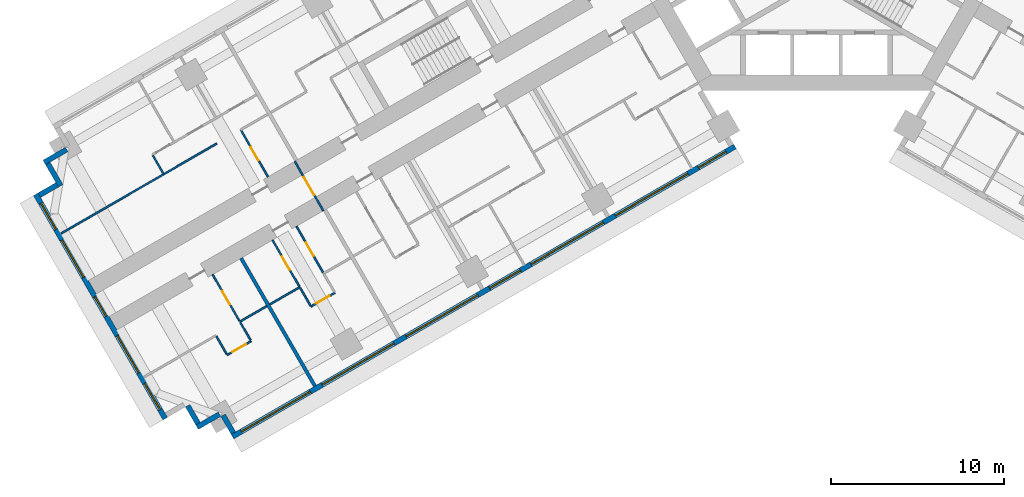
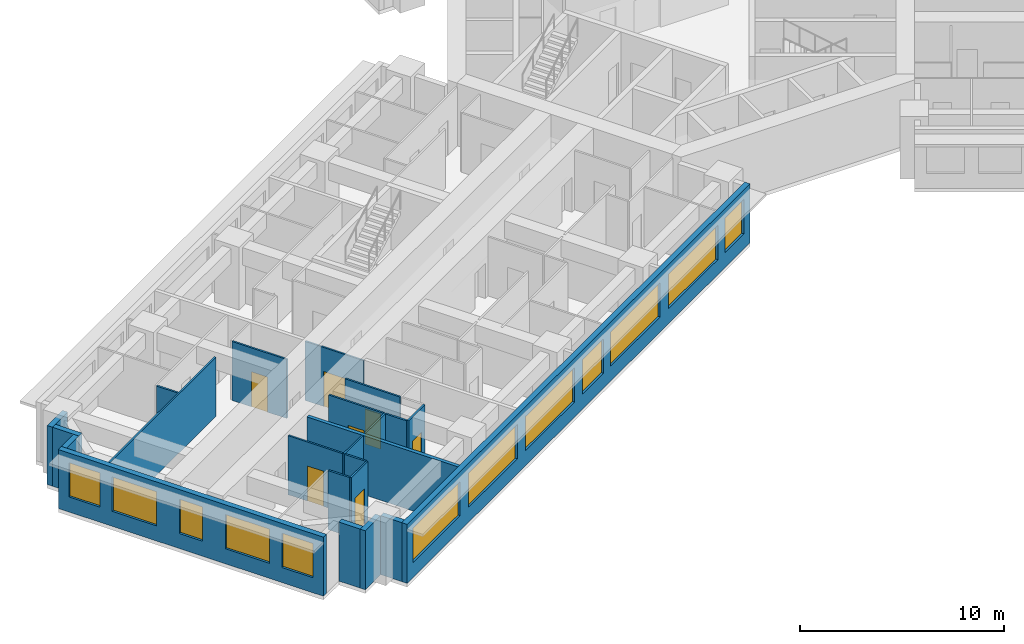
# One storey, part 3 of 16: 23 walls, 12 windows, 7 doors, 19 openings.
"""IFC4 building model written with IfcOpenShell, lengths in metres."""

from ifc_helpers import new_model, si_unit, direction, frame, frame_2d, origin, place, context, subcontext, project, spatial, rectangle, extrude, material, layer, layer_set, type_object, element, fill, save


model = new_model("IFC4")

# Units and contexts
model_context = context("Model", 3, precision=1e-05, world=origin(), true_north=direction((0.0, 1.0)))
body_context = subcontext(model_context, "Body", "Model", "MODEL_VIEW")
ifc_project = project(units=[si_unit("LENGTHUNIT", "METRE"), si_unit("AREAUNIT", "SQUARE_METRE"), si_unit("VOLUMEUNIT", "CUBIC_METRE"), si_unit("PLANEANGLEUNIT", "RADIAN"), si_unit("MASSUNIT", "GRAM", prefix="KILO")], contexts=[model_context])

# Site, building, storey
site_placement = place(None, origin())
site = spatial("IfcSite", under=ifc_project, at=site_placement, CompositionType="ELEMENT")
building_placement = place(site_placement, origin())
building = spatial("IfcBuilding", under=site, at=building_placement, Name="Impinga Residences", CompositionType="ELEMENT")
storey_placement = place(building_placement, frame((0.0, 0.0, 78.5)))
storey = spatial("IfcBuildingStorey", under=building, at=storey_placement, Name="L19", CompositionType="ELEMENT", Elevation=78.5)

# Wall, opening, door
ifc_material_1 = material(Name="Concrete blockwork", Category="masonry")
ifc_layer_1 = layer(ifc_material_1, 0.10009765625)
ifc_layer_set_1 = layer_set([ifc_layer_1], Name="CP1 core room partition, blockwork 100")
wall_type_1 = type_object("IfcWallType", Name="CP1 core room partition, blockwork 100", PredefinedType="PARTITIONING", material=ifc_layer_set_1)
wall_1_placement = place(storey_placement, frame((-28.566162109375, -18.39794921875, 0.0), z_axis=(0.0, 0.0, 1.0), x_axis=(-0.499974350878, 0.866040211805, 0.0)))
wall_1 = element("IfcWall", 1, at=wall_1_placement, inside=storey, type_object=wall_type_1, Name="Core room partition, blockwork L19:W:SCR", PredefinedType="PARTITIONING", context=body_context, shape_type="SweptSolid", body=[
    extrude(rectangle(XDim=3.300048828125, YDim=0.10009765625, at=frame_2d((1.64990234375, 0.0))), origin(), (0.0, 0.0, 1.0), 3.530029296875),
])
opening_1_placement = place(wall_1_placement, frame((1.050048828125, 0.0, 0.0)))
opening_1 = element("IfcOpeningElement", 2, at=opening_1_placement, cuts=wall_1, Name="Opening D3", PredefinedType="OPENING", context=body_context, shape_type="SweptSolid", body=[
    extrude(rectangle(XDim=1.199951171875, YDim=2.10009765625, at=frame_2d((0.60009765625, 1.050048828125))), frame((0.0, 0.06005859375, 0.0), z_axis=(0.0, -1.0, 0.0), x_axis=(1.0, 0.0, 0.0)), (0.0, 0.0, 1.0), 0.1201171875),
])
ifc_material_2 = material(Name="Timber door set", Category="wood")
door_type_1 = type_object("IfcDoorType", Name="D3 room door, leaf and a half 1200x2100", OperationType="DOUBLE_SWING_LEFT", PredefinedType="DOOR", material=ifc_material_2)
door_1_placement = place(opening_1_placement, origin())
door_1 = element("IfcDoor", 3, at=door_1_placement, inside=storey, type_object=door_type_1, Name="Corridor smoke door W", OperationType="DOUBLE_SWING_LEFT", OverallHeight=2.10009765625, OverallWidth=1.199951171875, PredefinedType="DOOR", context=body_context, shape_type="SweptSolid", body=[
    extrude(rectangle(XDim=1.199951171875, YDim=2.10009765625, at=frame_2d((0.60009765625, 1.050048828125))), frame((0.0, 0.02490234375, 0.0), z_axis=(0.0, -1.0, 0.0), x_axis=(1.0, 0.0, 0.0)), (0.0, 0.0, 1.0), 0.050048828125),
])
fill(opening_1, door_1)

# Walls
ifc_material_3 = material(Name="Terracotta rainscreen on blockwork", Category="masonry")
ifc_layer_2 = layer(ifc_material_3, 0.300048828125)
ifc_layer_set_2 = layer_set([ifc_layer_2], Name="EW1 external wall, terracotta rainscreen on blockwork 300")
wall_type_2 = type_object("IfcWallType", Name="EW1 external wall, terracotta rainscreen on blockwork 300", PredefinedType="SOLIDWALL", material=ifc_layer_set_2)
wall_2_placement = place(storey_placement, frame((-33.7685546875, -31.274169921875, 0.0), z_axis=(0.0, 0.0, 1.0), x_axis=(-0.499940577336, 0.866059708757, 0.0)))
element("IfcWall", 4, at=wall_2_placement, inside=storey, type_object=wall_type_2, Name="External wall EW1 L19", PredefinedType="SOLIDWALL", context=body_context, shape_type="SweptSolid", body=[
    extrude(rectangle(XDim=1.195068359375, YDim=0.300048828125, at=frame_2d((0.59765625, 0.0))), origin(), (0.0, 0.0, 1.0), 3.530029296875),
])
wall_3_placement = place(storey_placement, frame((-34.573486328125, -30.18017578125, 0.0), z_axis=(0.0, 0.0, 1.0), x_axis=(-0.866031096941, -0.499990139034, 0.0)))
element("IfcWall", 5, at=wall_3_placement, inside=storey, type_object=wall_type_2, Name="External wall EW1 L19", PredefinedType="SOLIDWALL", context=body_context, shape_type="SweptSolid", body=[
    extrude(rectangle(XDim=1.5, YDim=0.300048828125, at=frame_2d((0.75, 0.0))), origin(), (0.0, 0.0, 1.0), 3.530029296875),
])
wall_4_placement = place(storey_placement, frame((-35.817626953125, -30.72509765625, 0.0), z_axis=(0.0, 0.0, 1.0), x_axis=(-0.499969057507, 0.866043267704, 0.0)))
element("IfcWall", 6, at=wall_4_placement, inside=storey, type_object=wall_type_2, Name="External wall EW1 L19", PredefinedType="SOLIDWALL", context=body_context, shape_type="SweptSolid", body=[
    extrude(rectangle(XDim=1.19970703125, YDim=0.300048828125, at=frame_2d((0.599853515625, 0.0))), origin(), (0.0, 0.0, 1.0), 3.530029296875),
])

# Wall, openings, windows
wall_5_placement = place(storey_placement, frame((-37.716552734375, -30.43603515625, 0.0), z_axis=(0.0, 0.0, 1.0), x_axis=(-0.499997186618, 0.866027028085, 0.0)))
wall_5 = element("IfcWall", 7, at=wall_5_placement, inside=storey, type_object=wall_type_2, Name="External wall EW1 L19", PredefinedType="SOLIDWALL", context=body_context, shape_type="SweptSolid", body=[
    extrude(rectangle(XDim=15.0, YDim=0.300048828125, at=frame_2d((7.5, 0.0))), origin(), (0.0, 0.0, 1.0), 3.530029296875),
])
opening_2_placement = place(wall_5_placement, frame((0.60009765625, 0.0, 0.89990234375)))
opening_2 = element("IfcOpeningElement", 8, at=opening_2_placement, cuts=wall_5, Name="Opening W1", PredefinedType="OPENING", context=body_context, shape_type="SweptSolid", body=[
    extrude(rectangle(XDim=1.75, YDim=2.050048828125, at=frame_2d((0.875, 1.02490234375))), frame((0.0, 0.159912109375, 0.0), z_axis=(0.0, -1.0, 0.0), x_axis=(1.0, 0.0, 0.0)), (0.0, 0.0, 1.0), 0.320068359375),
])
opening_3_placement = place(wall_5_placement, frame((3.050048828125, 0.0, 0.89990234375)))
opening_3 = element("IfcOpeningElement", 9, at=opening_3_placement, cuts=wall_5, Name="Opening W2", PredefinedType="OPENING", context=body_context, shape_type="SweptSolid", body=[
    extrude(rectangle(XDim=2.5, YDim=2.050048828125, at=frame_2d((1.25, 1.02490234375))), frame((0.0, 0.159912109375, 0.0), z_axis=(0.0, -1.0, 0.0), x_axis=(1.0, 0.0, 0.0)), (0.0, 0.0, 1.0), 0.320068359375),
])
opening_4_placement = place(wall_5_placement, frame((6.85009765625, 0.0, 0.89990234375)))
opening_4 = element("IfcOpeningElement", 10, at=opening_4_placement, cuts=wall_5, Name="Opening WE1", PredefinedType="OPENING", context=body_context, shape_type="SweptSolid", body=[
    extrude(rectangle(XDim=1.300048828125, YDim=2.050048828125, at=frame_2d((0.64990234375, 1.02490234375))), frame((0.0, 0.159912109375, 0.0), z_axis=(0.0, -1.0, 0.0), x_axis=(1.0, 0.0, 0.0)), (0.0, 0.0, 1.0), 0.320068359375),
])
opening_5_placement = place(wall_5_placement, frame((9.449951171875, 0.0, 0.89990234375)))
opening_5 = element("IfcOpeningElement", 11, at=opening_5_placement, cuts=wall_5, Name="Opening W2", PredefinedType="OPENING", context=body_context, shape_type="SweptSolid", body=[
    extrude(rectangle(XDim=2.5, YDim=2.050048828125, at=frame_2d((1.25, 1.02490234375))), frame((0.0, 0.159912109375, 0.0), z_axis=(0.0, -1.0, 0.0), x_axis=(1.0, 0.0, 0.0)), (0.0, 0.0, 1.0), 0.320068359375),
])
opening_6_placement = place(wall_5_placement, frame((12.64990234375, 0.0, 0.89990234375)))
opening_6 = element("IfcOpeningElement", 12, at=opening_6_placement, cuts=wall_5, Name="Opening W1", PredefinedType="OPENING", context=body_context, shape_type="SweptSolid", body=[
    extrude(rectangle(XDim=1.75, YDim=2.050048828125, at=frame_2d((0.875, 1.02490234375))), frame((0.0, 0.159912109375, 0.0), z_axis=(0.0, -1.0, 0.0), x_axis=(1.0, 0.0, 0.0)), (0.0, 0.0, 1.0), 0.320068359375),
])
ifc_material_4 = material(Name="Aluminium window, clear double glazing", Category="aluminium")
window_type_1 = type_object("IfcWindowType", Name="W1 ribbon window 1750x2050", PartitioningType="SINGLE_PANEL", PredefinedType="WINDOW", material=ifc_material_4)
window_1_placement = place(opening_2_placement, origin())
window_1 = element("IfcWindow", 13, at=window_1_placement, inside=storey, type_object=window_type_1, Name="Window L19", OverallHeight=2.050048828125, OverallWidth=1.75, PartitioningType="SINGLE_PANEL", PredefinedType="WINDOW", context=body_context, shape_type="SweptSolid", body=[
    extrude(rectangle(XDim=1.75, YDim=2.050048828125, at=frame_2d((0.875, 1.02490234375))), frame((0.0, 0.030029296875, 0.0), z_axis=(0.0, -1.0, 0.0), x_axis=(1.0, 0.0, 0.0)), (0.0, 0.0, 1.0), 0.06005859375),
])
fill(opening_2, window_1)
window_2_placement = place(opening_6_placement, origin())
window_2 = element("IfcWindow", 14, at=window_2_placement, inside=storey, type_object=window_type_1, Name="Window L19", OverallHeight=2.050048828125, OverallWidth=1.75, PartitioningType="SINGLE_PANEL", PredefinedType="WINDOW", context=body_context, shape_type="SweptSolid", body=[
    extrude(rectangle(XDim=1.75, YDim=2.050048828125, at=frame_2d((0.875, 1.02490234375))), frame((0.0, 0.030029296875, 0.0), z_axis=(0.0, -1.0, 0.0), x_axis=(1.0, 0.0, 0.0)), (0.0, 0.0, 1.0), 0.06005859375),
])
fill(opening_6, window_2)
window_type_2 = type_object("IfcWindowType", Name="W2 ribbon window 2500x2050", PartitioningType="SINGLE_PANEL", PredefinedType="WINDOW", material=ifc_material_4)
window_3_placement = place(opening_3_placement, origin())
window_3 = element("IfcWindow", 15, at=window_3_placement, inside=storey, type_object=window_type_2, Name="Window L19", OverallHeight=2.050048828125, OverallWidth=2.5, PartitioningType="SINGLE_PANEL", PredefinedType="WINDOW", context=body_context, shape_type="SweptSolid", body=[
    extrude(rectangle(XDim=2.5, YDim=2.050048828125, at=frame_2d((1.25, 1.02490234375))), frame((0.0, 0.030029296875, 0.0), z_axis=(0.0, -1.0, 0.0), x_axis=(1.0, 0.0, 0.0)), (0.0, 0.0, 1.0), 0.06005859375),
])
fill(opening_3, window_3)
window_4_placement = place(opening_5_placement, origin())
window_4 = element("IfcWindow", 16, at=window_4_placement, inside=storey, type_object=window_type_2, Name="Window L19", OverallHeight=2.050048828125, OverallWidth=2.5, PartitioningType="SINGLE_PANEL", PredefinedType="WINDOW", context=body_context, shape_type="SweptSolid", body=[
    extrude(rectangle(XDim=2.5, YDim=2.050048828125, at=frame_2d((1.25, 1.02490234375))), frame((0.0, 0.030029296875, 0.0), z_axis=(0.0, -1.0, 0.0), x_axis=(1.0, 0.0, 0.0)), (0.0, 0.0, 1.0), 0.06005859375),
])
fill(opening_5, window_4)
window_type_3 = type_object("IfcWindowType", Name="WE1 corridor window 1300x2050", PartitioningType="SINGLE_PANEL", PredefinedType="WINDOW", material=ifc_material_4)
window_5_placement = place(opening_4_placement, origin())
window_5 = element("IfcWindow", 17, at=window_5_placement, inside=storey, type_object=window_type_3, Name="Window L19", OverallHeight=2.050048828125, OverallWidth=1.300048828125, PartitioningType="SINGLE_PANEL", PredefinedType="WINDOW", context=body_context, shape_type="SweptSolid", body=[
    extrude(rectangle(XDim=1.300048828125, YDim=2.050048828125, at=frame_2d((0.64990234375, 1.02490234375))), frame((0.0, 0.030029296875, 0.0), z_axis=(0.0, -1.0, 0.0), x_axis=(1.0, 0.0, 0.0)), (0.0, 0.0, 1.0), 0.06005859375),
])
fill(opening_4, window_5)

# Walls
wall_6_placement = place(storey_placement, frame((-45.01171875, -17.50048828125, 0.0), z_axis=(0.0, 0.0, 1.0), x_axis=(0.866059708757, 0.499940577336, 0.0)))
element("IfcWall", 18, at=wall_6_placement, inside=storey, type_object=wall_type_2, Name="External wall EW1 L19", PredefinedType="SOLIDWALL", context=body_context, shape_type="SweptSolid", body=[
    extrude(rectangle(XDim=1.195068359375, YDim=0.300048828125, at=frame_2d((0.59765625, 0.0))), origin(), (0.0, 0.0, 1.0), 3.530029296875),
])
for number, where, z_axis, x_axis, name in (
    (19, (-43.767578125, -16.955322265625, 0.0), (0.0, 0.0, 1.0), (-0.499990139034, 0.866031096941, 0.0), "External wall EW1 L19"),
    (20, (-44.722412109375, -15.6015625, 0.0), (0.0, 0.0, 1.0), (0.866031096941, 0.499990139034, 0.0), "External wall EW1 L19"),
):
    element("IfcWall", number, at=place(storey_placement, frame(where, z_axis=z_axis, x_axis=x_axis)), inside=storey, type_object=wall_type_2, Name=name, PredefinedType="SOLIDWALL", context=body_context, shape_type="SweptSolid", body=[
        extrude(rectangle(XDim=1.5, YDim=0.300048828125, at=frame_2d((0.75, 0.0))), origin(), (0.0, 0.0, 1.0), 3.530029296875),
    ])

# Wall, openings, windows
wall_7_placement = place(storey_placement, frame((-4.72509765625, -14.67919921875, 0.0), z_axis=(0.0, 0.0, 1.0), x_axis=(-0.866024291668, -0.500001926238, 0.0)))
wall_7 = element("IfcWall", 21, at=wall_7_placement, inside=storey, type_object=wall_type_2, Name="External wall EW1 L19", PredefinedType="SOLIDWALL", context=body_context, shape_type="SweptSolid", body=[
    extrude(rectangle(XDim=33.599853515625, YDim=0.300048828125, at=frame_2d((16.7998046875, 0.0))), origin(), (0.0, 0.0, 1.0), 3.530029296875),
])
opening_7_placement = place(wall_7_placement, frame((0.60009765625, 0.0, 0.89990234375)))
opening_7 = element("IfcOpeningElement", 22, at=opening_7_placement, cuts=wall_7, Name="Opening W15", PredefinedType="OPENING", context=body_context, shape_type="SweptSolid", body=[
    extrude(rectangle(XDim=1.85009765625, YDim=2.050048828125, at=frame_2d((0.925048828125, 1.02490234375))), frame((0.0, 0.159912109375, 0.0), z_axis=(0.0, -1.0, 0.0), x_axis=(1.0, 0.0, 0.0)), (0.0, 0.0, 1.0), 0.320068359375),
])
opening_8_placement = place(wall_7_placement, frame((3.14990234375, 0.0, 0.89990234375)))
opening_8 = element("IfcOpeningElement", 23, at=opening_8_placement, cuts=wall_7, Name="Opening W6", PredefinedType="OPENING", context=body_context, shape_type="SweptSolid", body=[
    extrude(rectangle(XDim=4.85009765625, YDim=2.050048828125, at=frame_2d((2.425048828125, 1.02490234375))), frame((0.0, 0.159912109375, 0.0), z_axis=(0.0, -1.0, 0.0), x_axis=(1.0, 0.0, 0.0)), (0.0, 0.0, 1.0), 0.320068359375),
])
opening_9_placement = place(wall_7_placement, frame((8.800048828125, 0.0, 0.89990234375)))
opening_9 = element("IfcOpeningElement", 24, at=opening_9_placement, cuts=wall_7, Name="Opening W6", PredefinedType="OPENING", context=body_context, shape_type="SweptSolid", body=[
    extrude(rectangle(XDim=4.85009765625, YDim=2.050048828125, at=frame_2d((2.425048828125, 1.02490234375))), frame((0.0, 0.159912109375, 0.0), z_axis=(0.0, -1.0, 0.0), x_axis=(1.0, 0.0, 0.0)), (0.0, 0.0, 1.0), 0.320068359375),
])
opening_10_placement = place(wall_7_placement, frame((14.35009765625, 0.0, 0.89990234375)))
opening_10 = element("IfcOpeningElement", 25, at=opening_10_placement, cuts=wall_7, Name="Opening W14", PredefinedType="OPENING", context=body_context, shape_type="SweptSolid", body=[
    extrude(rectangle(XDim=2.050048828125, YDim=2.050048828125, at=frame_2d((1.02490234375, 1.02490234375))), frame((0.0, 0.159912109375, 0.0), z_axis=(0.0, -1.0, 0.0), x_axis=(1.0, 0.0, 0.0)), (0.0, 0.0, 1.0), 0.320068359375),
])
opening_11_placement = place(wall_7_placement, frame((17.199951171875, 0.0, 0.89990234375)))
opening_11 = element("IfcOpeningElement", 26, at=opening_11_placement, cuts=wall_7, Name="Opening W8", PredefinedType="OPENING", context=body_context, shape_type="SweptSolid", body=[
    extrude(rectangle(XDim=4.800048828125, YDim=2.050048828125, at=frame_2d((2.39990234375, 1.02490234375))), frame((0.0, 0.159912109375, 0.0), z_axis=(0.0, -1.0, 0.0), x_axis=(1.0, 0.0, 0.0)), (0.0, 0.0, 1.0), 0.320068359375),
])
opening_12_placement = place(wall_7_placement, frame((22.800048828125, 0.0, 0.89990234375)))
opening_12 = element("IfcOpeningElement", 27, at=opening_12_placement, cuts=wall_7, Name="Opening W8", PredefinedType="OPENING", context=body_context, shape_type="SweptSolid", body=[
    extrude(rectangle(XDim=4.800048828125, YDim=2.050048828125, at=frame_2d((2.39990234375, 1.02490234375))), frame((0.0, 0.159912109375, 0.0), z_axis=(0.0, -1.0, 0.0), x_axis=(1.0, 0.0, 0.0)), (0.0, 0.0, 1.0), 0.320068359375),
])
opening_13_placement = place(wall_7_placement, frame((28.39990234375, 0.0, 0.89990234375)))
opening_13 = element("IfcOpeningElement", 28, at=opening_13_placement, cuts=wall_7, Name="Opening W3", PredefinedType="OPENING", context=body_context, shape_type="SweptSolid", body=[
    extrude(rectangle(XDim=4.60009765625, YDim=2.050048828125, at=frame_2d((2.300048828125, 1.02490234375))), frame((0.0, 0.159912109375, 0.0), z_axis=(0.0, -1.0, 0.0), x_axis=(1.0, 0.0, 0.0)), (0.0, 0.0, 1.0), 0.320068359375),
])
window_type_4 = type_object("IfcWindowType", Name="W14 ribbon window 2050x2050", PartitioningType="SINGLE_PANEL", PredefinedType="WINDOW", material=ifc_material_4)
window_6_placement = place(opening_10_placement, origin())
window_6 = element("IfcWindow", 29, at=window_6_placement, inside=storey, type_object=window_type_4, Name="Window L19", OverallHeight=2.050048828125, OverallWidth=2.050048828125, PartitioningType="SINGLE_PANEL", PredefinedType="WINDOW", context=body_context, shape_type="SweptSolid", body=[
    extrude(rectangle(XDim=2.050048828125, YDim=2.050048828125, at=frame_2d((1.02490234375, 1.02490234375))), frame((0.0, 0.030029296875, 0.0), z_axis=(0.0, -1.0, 0.0), x_axis=(1.0, 0.0, 0.0)), (0.0, 0.0, 1.0), 0.06005859375),
])
fill(opening_10, window_6)
window_type_5 = type_object("IfcWindowType", Name="W15 ribbon window 1850x2050", PartitioningType="SINGLE_PANEL", PredefinedType="WINDOW", material=ifc_material_4)
window_7_placement = place(opening_7_placement, origin())
window_7 = element("IfcWindow", 30, at=window_7_placement, inside=storey, type_object=window_type_5, Name="Window L19", OverallHeight=2.050048828125, OverallWidth=1.85009765625, PartitioningType="SINGLE_PANEL", PredefinedType="WINDOW", context=body_context, shape_type="SweptSolid", body=[
    extrude(rectangle(XDim=1.85009765625, YDim=2.050048828125, at=frame_2d((0.925048828125, 1.02490234375))), frame((0.0, 0.030029296875, 0.0), z_axis=(0.0, -1.0, 0.0), x_axis=(1.0, 0.0, 0.0)), (0.0, 0.0, 1.0), 0.06005859375),
])
fill(opening_7, window_7)
window_type_6 = type_object("IfcWindowType", Name="W3 ribbon window 4600x2050", PartitioningType="SINGLE_PANEL", PredefinedType="WINDOW", material=ifc_material_4)
window_8_placement = place(opening_13_placement, origin())
window_8 = element("IfcWindow", 31, at=window_8_placement, inside=storey, type_object=window_type_6, Name="Window L19", OverallHeight=2.050048828125, OverallWidth=4.60009765625, PartitioningType="SINGLE_PANEL", PredefinedType="WINDOW", context=body_context, shape_type="SweptSolid", body=[
    extrude(rectangle(XDim=4.60009765625, YDim=2.050048828125, at=frame_2d((2.300048828125, 1.02490234375))), frame((0.0, 0.030029296875, 0.0), z_axis=(0.0, -1.0, 0.0), x_axis=(1.0, 0.0, 0.0)), (0.0, 0.0, 1.0), 0.06005859375),
])
fill(opening_13, window_8)
window_type_7 = type_object("IfcWindowType", Name="W6 ribbon window 4850x2050", PartitioningType="SINGLE_PANEL", PredefinedType="WINDOW", material=ifc_material_4)
window_9_placement = place(opening_8_placement, origin())
window_9 = element("IfcWindow", 32, at=window_9_placement, inside=storey, type_object=window_type_7, Name="Window L19", OverallHeight=2.050048828125, OverallWidth=4.85009765625, PartitioningType="SINGLE_PANEL", PredefinedType="WINDOW", context=body_context, shape_type="SweptSolid", body=[
    extrude(rectangle(XDim=4.85009765625, YDim=2.050048828125, at=frame_2d((2.425048828125, 1.02490234375))), frame((0.0, 0.030029296875, 0.0), z_axis=(0.0, -1.0, 0.0), x_axis=(1.0, 0.0, 0.0)), (0.0, 0.0, 1.0), 0.06005859375),
])
fill(opening_8, window_9)
window_10_placement = place(opening_9_placement, origin())
window_10 = element("IfcWindow", 33, at=window_10_placement, inside=storey, type_object=window_type_7, Name="Window L19", OverallHeight=2.050048828125, OverallWidth=4.85009765625, PartitioningType="SINGLE_PANEL", PredefinedType="WINDOW", context=body_context, shape_type="SweptSolid", body=[
    extrude(rectangle(XDim=4.85009765625, YDim=2.050048828125, at=frame_2d((2.425048828125, 1.02490234375))), frame((0.0, 0.030029296875, 0.0), z_axis=(0.0, -1.0, 0.0), x_axis=(1.0, 0.0, 0.0)), (0.0, 0.0, 1.0), 0.06005859375),
])
fill(opening_9, window_10)
window_type_8 = type_object("IfcWindowType", Name="W8 ribbon window 4800x2050", PartitioningType="SINGLE_PANEL", PredefinedType="WINDOW", material=ifc_material_4)
window_11_placement = place(opening_11_placement, origin())
window_11 = element("IfcWindow", 34, at=window_11_placement, inside=storey, type_object=window_type_8, Name="Window L19", OverallHeight=2.050048828125, OverallWidth=4.800048828125, PartitioningType="SINGLE_PANEL", PredefinedType="WINDOW", context=body_context, shape_type="SweptSolid", body=[
    extrude(rectangle(XDim=4.800048828125, YDim=2.050048828125, at=frame_2d((2.39990234375, 1.02490234375))), frame((0.0, 0.030029296875, 0.0), z_axis=(0.0, -1.0, 0.0), x_axis=(1.0, 0.0, 0.0)), (0.0, 0.0, 1.0), 0.06005859375),
])
fill(opening_11, window_11)
window_12_placement = place(opening_12_placement, origin())
window_12 = element("IfcWindow", 35, at=window_12_placement, inside=storey, type_object=window_type_8, Name="Window L19", OverallHeight=2.050048828125, OverallWidth=4.800048828125, PartitioningType="SINGLE_PANEL", PredefinedType="WINDOW", context=body_context, shape_type="SweptSolid", body=[
    extrude(rectangle(XDim=4.800048828125, YDim=2.050048828125, at=frame_2d((2.39990234375, 1.02490234375))), frame((0.0, 0.030029296875, 0.0), z_axis=(0.0, -1.0, 0.0), x_axis=(1.0, 0.0, 0.0)), (0.0, 0.0, 1.0), 0.06005859375),
])
fill(opening_12, window_12)

# Wall
ifc_material_5 = material(Name="Gypsum board on steel studs", Category="steel")
ifc_layer_3 = layer(ifc_material_5, 0.10009765625)
ifc_layer_set_3 = layer_set([ifc_layer_3], Name="Gypsum board on steel studs")
wall_type_3 = type_object("IfcWallType", Name="IP1 partition 100", PredefinedType="PARTITIONING", material=ifc_layer_set_3)
wall_8_placement = place(storey_placement, frame((-29.93017578125, -22.82275390625, 0.0), z_axis=(0.0, 0.0, 1.0), x_axis=(-0.866010750942, -0.50002537861, 0.0)))
element("IfcWall", 36, at=wall_8_placement, inside=storey, type_object=wall_type_3, Name="Partition L19-WA4:DIV1", PredefinedType="PARTITIONING", context=body_context, shape_type="SweptSolid", body=[
    extrude(rectangle(XDim=2.0, YDim=0.10009765625, at=frame_2d((1.0, 0.0))), origin(), (0.0, 0.0, 1.0), 3.530029296875),
])

# Wall, opening, door
wall_9_placement = place(storey_placement, frame((-27.89453125, -23.1484375, 0.0), z_axis=(0.0, 0.0, 1.0), x_axis=(-0.865989903783, -0.500061482766, 0.0)))
wall_9 = element("IfcWall", 37, at=wall_9_placement, inside=storey, type_object=wall_type_3, Name="Partition L19-WA4:STRIP", PredefinedType="PARTITIONING", context=body_context, shape_type="SweptSolid", body=[
    extrude(rectangle(XDim=1.599853515625, YDim=0.10009765625, at=frame_2d((0.7998046875, 0.0))), origin(), (0.0, 0.0, 1.0), 3.530029296875),
])
opening_14_placement = place(wall_9_placement, frame((0.35009765625, 0.0, 0.0)))
opening_14 = element("IfcOpeningElement", 38, at=opening_14_placement, cuts=wall_9, Name="Opening D2", PredefinedType="OPENING", context=body_context, shape_type="SweptSolid", body=[
    extrude(rectangle(XDim=0.89990234375, YDim=2.10009765625, at=frame_2d((0.449951171875, 1.050048828125))), frame((0.0, 0.06005859375, 0.0), z_axis=(0.0, -1.0, 0.0), x_axis=(1.0, 0.0, 0.0)), (0.0, 0.0, 1.0), 0.1201171875),
])
door_type_2 = type_object("IfcDoorType", Name="D2 internal door 900x2100", OperationType="SINGLE_SWING_LEFT", PredefinedType="DOOR", material=ifc_material_2)
door_2_placement = place(opening_14_placement, origin())
door_2 = element("IfcDoor", 39, at=door_2_placement, inside=storey, type_object=door_type_2, Name="Apartment L19-WA4 room door", OperationType="SINGLE_SWING_LEFT", OverallHeight=2.10009765625, OverallWidth=0.89990234375, PredefinedType="DOOR", context=body_context, shape_type="SweptSolid", body=[
    extrude(rectangle(XDim=0.89990234375, YDim=2.10009765625, at=frame_2d((0.449951171875, 1.050048828125))), frame((0.0, 0.02490234375, 0.0), z_axis=(0.0, -1.0, 0.0), x_axis=(1.0, 0.0, 0.0)), (0.0, 0.0, 1.0), 0.050048828125),
])
fill(opening_14, door_2)

# Wall
wall_10_placement = place(storey_placement, frame((-29.905029296875, -22.865966796875, 0.0), z_axis=(0.0, 0.0, 1.0), x_axis=(0.499880961361, -0.866094119867, 0.0)))
element("IfcWall", 40, at=wall_10_placement, inside=storey, type_object=wall_type_3, Name="Partition L19-WA4:SE1", PredefinedType="PARTITIONING", context=body_context, shape_type="SweptSolid", body=[
    extrude(rectangle(XDim=1.199951171875, YDim=0.10009765625, at=frame_2d((0.60009765625, 0.0))), origin(), (0.0, 0.0, 1.0), 3.530029296875),
])

# Wall, opening, door
wall_11_placement = place(storey_placement, frame((-30.119384765625, -19.294677734375, 0.0), z_axis=(0.0, 0.0, 1.0), x_axis=(0.49999285859, -0.86602952684, 0.0)))
wall_11 = element("IfcWall", 41, at=wall_11_placement, inside=storey, type_object=wall_type_3, Name="Partition L19-WA4:IB1", PredefinedType="PARTITIONING", context=body_context, shape_type="SweptSolid", body=[
    extrude(rectangle(XDim=3.10009765625, YDim=0.10009765625, at=frame_2d((1.550048828125, 0.0))), origin(), (0.0, 0.0, 1.0), 3.530029296875),
])
opening_15_placement = place(wall_11_placement, frame((1.10009765625, 0.0, 0.0)))
opening_15 = element("IfcOpeningElement", 42, at=opening_15_placement, cuts=wall_11, Name="Opening D2", PredefinedType="OPENING", context=body_context, shape_type="SweptSolid", body=[
    extrude(rectangle(XDim=0.89990234375, YDim=2.10009765625, at=frame_2d((0.449951171875, 1.050048828125))), frame((0.0, 0.06005859375, 0.0), z_axis=(0.0, -1.0, 0.0), x_axis=(1.0, 0.0, 0.0)), (0.0, 0.0, 1.0), 0.1201171875),
])
door_3_placement = place(opening_15_placement, origin())
door_3 = element("IfcDoor", 43, at=door_3_placement, inside=storey, type_object=door_type_2, Name="Apartment L19-WA4 bathroom door", OperationType="SINGLE_SWING_LEFT", OverallHeight=2.10009765625, OverallWidth=0.89990234375, PredefinedType="DOOR", context=body_context, shape_type="SweptSolid", body=[
    extrude(rectangle(XDim=0.89990234375, YDim=2.10009765625, at=frame_2d((0.449951171875, 1.050048828125))), frame((0.0, 0.02490234375, 0.0), z_axis=(0.0, -1.0, 0.0), x_axis=(1.0, 0.0, 0.0)), (0.0, 0.0, 1.0), 0.050048828125),
])
fill(opening_15, door_3)

wall_12_placement = place(storey_placement, frame((-31.505126953125, -20.0947265625, 0.0), z_axis=(0.0, 0.0, 1.0), x_axis=(0.500026960575, -0.86600983753, 0.0)))
wall_12 = element("IfcWall", 44, at=wall_12_placement, inside=storey, type_object=wall_type_3, Name="Partition L19-WA4:IB2", PredefinedType="PARTITIONING", context=body_context, shape_type="SweptSolid", body=[
    extrude(rectangle(XDim=3.099853515625, YDim=0.10009765625, at=frame_2d((1.5498046875, 0.0))), origin(), (0.0, 0.0, 1.0), 3.530029296875),
])
opening_16_placement = place(wall_12_placement, frame((1.10009765625, 0.0, 0.0)))
opening_16 = element("IfcOpeningElement", 45, at=opening_16_placement, cuts=wall_12, Name="Opening D2", PredefinedType="OPENING", context=body_context, shape_type="SweptSolid", body=[
    extrude(rectangle(XDim=0.89990234375, YDim=2.10009765625, at=frame_2d((0.449951171875, 1.050048828125))), frame((0.0, 0.06005859375, 0.0), z_axis=(0.0, -1.0, 0.0), x_axis=(1.0, 0.0, 0.0)), (0.0, 0.0, 1.0), 0.1201171875),
])
door_4_placement = place(opening_16_placement, origin())
door_4 = element("IfcDoor", 46, at=door_4_placement, inside=storey, type_object=door_type_2, Name="Apartment L19-WA4 WC door", OperationType="SINGLE_SWING_LEFT", OverallHeight=2.10009765625, OverallWidth=0.89990234375, PredefinedType="DOOR", context=body_context, shape_type="SweptSolid", body=[
    extrude(rectangle(XDim=0.89990234375, YDim=2.10009765625, at=frame_2d((0.449951171875, 1.050048828125))), frame((0.0, 0.02490234375, 0.0), z_axis=(0.0, -1.0, 0.0), x_axis=(1.0, 0.0, 0.0)), (0.0, 0.0, 1.0), 0.050048828125),
])
fill(opening_16, door_4)

# Wall
wall_13_placement = place(storey_placement, frame((-31.835205078125, -23.922607421875, 0.0), z_axis=(0.0, 0.0, 1.0), x_axis=(-0.865989075817, -0.500062916607, 0.0)))
element("IfcWall", 47, at=wall_13_placement, inside=storey, type_object=wall_type_3, Name="Partition L19-WA5:DIV0", PredefinedType="PARTITIONING", context=body_context, shape_type="SweptSolid", body=[
    extrude(rectangle(XDim=1.800048828125, YDim=0.10009765625, at=frame_2d((0.89990234375, 0.0))), origin(), (0.0, 0.0, 1.0), 3.530029296875),
])

# Wall, opening, door
wall_14_placement = place(storey_placement, frame((-32.744140625, -25.948486328125, 0.0), z_axis=(0.0, 0.0, 1.0), x_axis=(-0.866028054938, -0.499995408039, 0.0)))
wall_14 = element("IfcWall", 48, at=wall_14_placement, inside=storey, type_object=wall_type_3, Name="Partition L19-WA5:STRIP", PredefinedType="PARTITIONING", context=body_context, shape_type="SweptSolid", body=[
    extrude(rectangle(XDim=1.60009765625, YDim=0.10009765625, at=frame_2d((0.800048828125, 0.0))), origin(), (0.0, 0.0, 1.0), 3.530029296875),
])
opening_17_placement = place(wall_14_placement, frame((0.35009765625, 0.0, 0.0)))
opening_17 = element("IfcOpeningElement", 49, at=opening_17_placement, cuts=wall_14, Name="Opening D2", PredefinedType="OPENING", context=body_context, shape_type="SweptSolid", body=[
    extrude(rectangle(XDim=0.89990234375, YDim=2.10009765625, at=frame_2d((0.449951171875, 1.050048828125))), frame((0.0, 0.06005859375, 0.0), z_axis=(0.0, -1.0, 0.0), x_axis=(1.0, 0.0, 0.0)), (0.0, 0.0, 1.0), 0.1201171875),
])
door_5_placement = place(opening_17_placement, origin())
door_5 = element("IfcDoor", 50, at=door_5_placement, inside=storey, type_object=door_type_2, Name="Apartment L19-WA5 room door", OperationType="SINGLE_SWING_LEFT", OverallHeight=2.10009765625, OverallWidth=0.89990234375, PredefinedType="DOOR", context=body_context, shape_type="SweptSolid", body=[
    extrude(rectangle(XDim=0.89990234375, YDim=2.10009765625, at=frame_2d((0.449951171875, 1.050048828125))), frame((0.0, 0.02490234375, 0.0), z_axis=(0.0, -1.0, 0.0), x_axis=(1.0, 0.0, 0.0)), (0.0, 0.0, 1.0), 0.050048828125),
])
fill(opening_17, door_5)

# Walls
for number, where, z_axis, x_axis, name in (
    (51, (-33.369140625, -24.865966796875, 0.0), (0.0, 0.0, 1.0), (0.500033551112, -0.866006032174, 0.0), "Partition L19-WA5:SE0"),
    (52, (-34.7548828125, -25.666015625, 0.0), (0.0, 0.0, 1.0), (0.500033551112, -0.866006032174, 0.0), "Partition L19-WA5:SE1"),
):
    element("IfcWall", number, at=place(storey_placement, frame(where, z_axis=z_axis, x_axis=x_axis)), inside=storey, type_object=wall_type_3, Name=name, PredefinedType="PARTITIONING", context=body_context, shape_type="SweptSolid", body=[
        extrude(rectangle(XDim=1.2001953125, YDim=0.10009765625, at=frame_2d((0.60009765625, 0.0))), origin(), (0.0, 0.0, 1.0), 3.530029296875),
    ])

# Wall, opening, door
wall_15_placement = place(storey_placement, frame((-34.96923828125, -22.0947265625, 0.0), z_axis=(0.0, 0.0, 1.0), x_axis=(0.500026960575, -0.86600983753, 0.0)))
wall_15 = element("IfcWall", 53, at=wall_15_placement, inside=storey, type_object=wall_type_3, Name="Partition L19-WA5:IB1", PredefinedType="PARTITIONING", context=body_context, shape_type="SweptSolid", body=[
    extrude(rectangle(XDim=3.099853515625, YDim=0.10009765625, at=frame_2d((1.5498046875, 0.0))), origin(), (0.0, 0.0, 1.0), 3.530029296875),
])
opening_18_placement = place(wall_15_placement, frame((1.10009765625, 0.0, 0.0)))
opening_18 = element("IfcOpeningElement", 54, at=opening_18_placement, cuts=wall_15, Name="Opening D2", PredefinedType="OPENING", context=body_context, shape_type="SweptSolid", body=[
    extrude(rectangle(XDim=0.89990234375, YDim=2.10009765625, at=frame_2d((0.449951171875, 1.050048828125))), frame((0.0, 0.06005859375, 0.0), z_axis=(0.0, -1.0, 0.0), x_axis=(1.0, 0.0, 0.0)), (0.0, 0.0, 1.0), 0.1201171875),
])
door_6_placement = place(opening_18_placement, origin())
door_6 = element("IfcDoor", 55, at=door_6_placement, inside=storey, type_object=door_type_2, Name="Apartment L19-WA5 bathroom door", OperationType="SINGLE_SWING_LEFT", OverallHeight=2.10009765625, OverallWidth=0.89990234375, PredefinedType="DOOR", context=body_context, shape_type="SweptSolid", body=[
    extrude(rectangle(XDim=0.89990234375, YDim=2.10009765625, at=frame_2d((0.449951171875, 1.050048828125))), frame((0.0, 0.02490234375, 0.0), z_axis=(0.0, -1.0, 0.0), x_axis=(1.0, 0.0, 0.0)), (0.0, 0.0, 1.0), 0.050048828125),
])
fill(opening_18, door_6)

# Walls
wall_16_placement = place(storey_placement, frame((-34.72998046875, -14.5087890625, 0.0), z_axis=(0.0, 0.0, 1.0), x_axis=(-0.866031564966, -0.499989328369, 0.0)))
element("IfcWall", 56, at=wall_16_placement, inside=storey, type_object=wall_type_3, Name="Partition L19-WF3:DIV1", PredefinedType="PARTITIONING", context=body_context, shape_type="SweptSolid", body=[
    extrude(rectangle(XDim=10.400146484375, YDim=0.10009765625, at=frame_2d((5.2001953125, 0.0))), origin(), (0.0, 0.0, 1.0), 3.530029296875),
])
wall_17_placement = place(storey_placement, frame((-37.829345703125, -16.240478515625, 0.0), z_axis=(0.0, 0.0, 1.0), x_axis=(-0.50012165622, 0.865955154139, 0.0)))
element("IfcWall", 57, at=wall_17_placement, inside=storey, type_object=wall_type_3, Name="Partition L19-WF3:SE1", PredefinedType="PARTITIONING", context=body_context, shape_type="SweptSolid", body=[
    extrude(rectangle(XDim=1.199951171875, YDim=0.10009765625, at=frame_2d((0.60009765625, 0.0))), origin(), (0.0, 0.0, 1.0), 3.530029296875),
])

# Wall, opening, door
wall_18_placement = place(storey_placement, frame((-31.76953125, -16.436767578125, 0.0), z_axis=(0.0, 0.0, 1.0), x_axis=(-0.499967891604, 0.866043940782, 0.0)))
wall_18 = element("IfcWall", 58, at=wall_18_placement, inside=storey, type_object=wall_type_3, Name="Partition L19-WF3:IB1", PredefinedType="PARTITIONING", context=body_context, shape_type="SweptSolid", body=[
    extrude(rectangle(XDim=3.099853515625, YDim=0.10009765625, at=frame_2d((1.5498046875, 0.0))), origin(), (0.0, 0.0, 1.0), 3.530029296875),
])
opening_19_placement = place(wall_18_placement, frame((1.10009765625, 0.0, 0.0)))
opening_19 = element("IfcOpeningElement", 59, at=opening_19_placement, cuts=wall_18, Name="Opening D2", PredefinedType="OPENING", context=body_context, shape_type="SweptSolid", body=[
    extrude(rectangle(XDim=0.89990234375, YDim=2.10009765625, at=frame_2d((0.449951171875, 1.050048828125))), frame((0.0, 0.06005859375, 0.0), z_axis=(0.0, -1.0, 0.0), x_axis=(1.0, 0.0, 0.0)), (0.0, 0.0, 1.0), 0.1201171875),
])
door_7_placement = place(opening_19_placement, origin())
door_7 = element("IfcDoor", 60, at=door_7_placement, inside=storey, type_object=door_type_2, Name="Apartment L19-WF3 bathroom door", OperationType="SINGLE_SWING_LEFT", OverallHeight=2.10009765625, OverallWidth=0.89990234375, PredefinedType="DOOR", context=body_context, shape_type="SweptSolid", body=[
    extrude(rectangle(XDim=0.89990234375, YDim=2.10009765625, at=frame_2d((0.449951171875, 1.050048828125))), frame((0.0, 0.02490234375, 0.0), z_axis=(0.0, -1.0, 0.0), x_axis=(1.0, 0.0, 0.0)), (0.0, 0.0, 1.0), 0.050048828125),
])
fill(opening_19, door_7)

# Wall
ifc_layer_4 = layer(ifc_material_1, 0.199951171875)
ifc_layer_set_4 = layer_set([ifc_layer_4], Name="PW1 party wall between apartments 200")
wall_type_4 = type_object("IfcWallType", Name="PW1 party wall between apartments 200", PredefinedType="SOLIDWALL", material=ifc_layer_set_4)
wall_19_placement = place(storey_placement, frame((-33.32373046875, -21.144775390625, 0.0), z_axis=(0.0, 0.0, 1.0), x_axis=(0.499990227581, -0.86603104582, 0.0)))
element("IfcWall", 61, at=wall_19_placement, inside=storey, type_object=wall_type_4, Name="Party wall between apartments L19-WA4:PARTY", PredefinedType="SOLIDWALL", context=body_context, shape_type="SweptSolid", body=[
    extrude(rectangle(XDim=8.550048828125, YDim=0.199951171875, at=frame_2d((4.27490234375, 0.0))), origin(), (0.0, 0.0, 1.0), 3.530029296875),
])

save(model, "model.ifc")
